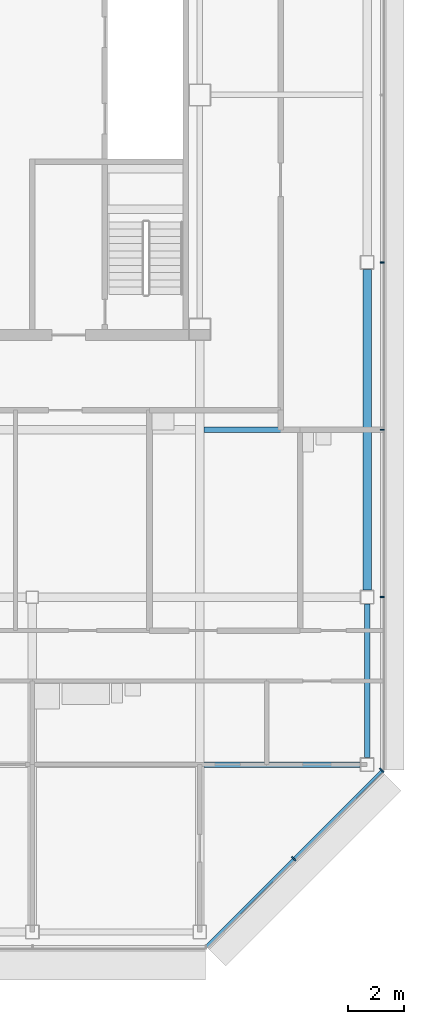
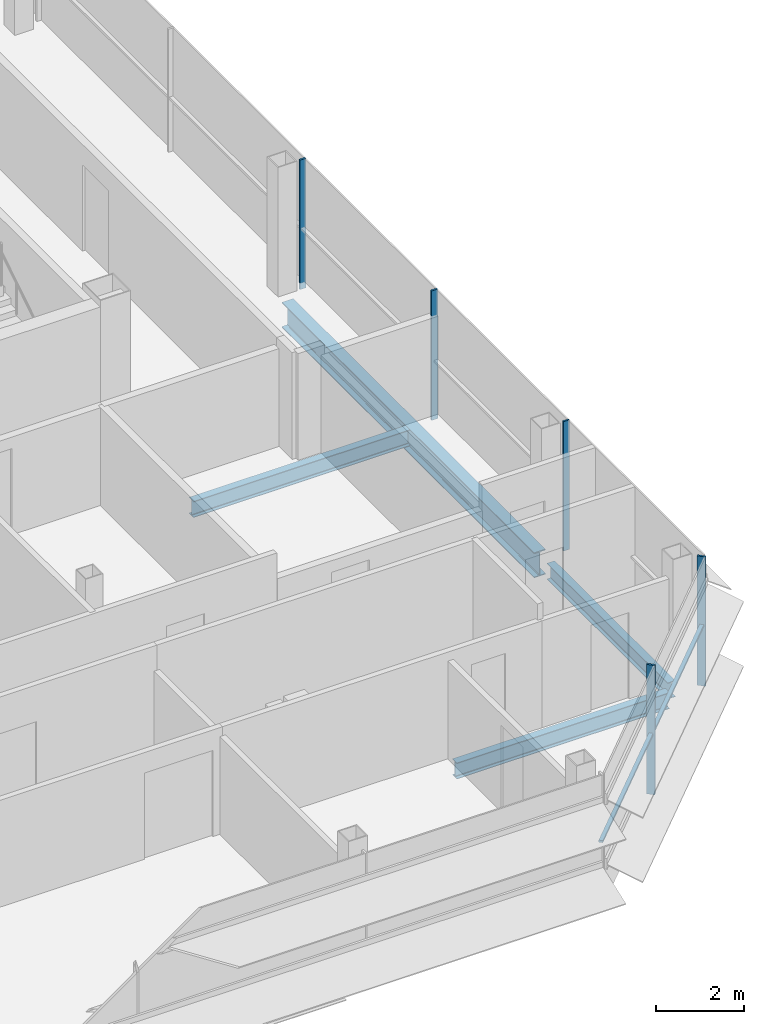
# One storey, part 17 of 27: 6 members, 4 beams, 2 elements without a shape of their own.
"""IFC4 building model written with IfcOpenShell, lengths in metres."""

from ifc_helpers import new_model, si_unit, direction, frame, origin, origin_2d, place, context, subcontext, project, spatial, rectangle, i_section, extrude, material, material_profile, profile_set, type_object, element, aggregate, save


model = new_model("IFC4")

# Units and contexts
model_context = context("Model", 3, precision=1e-05, world=origin(), true_north=direction((0.0, 1.0)))
body_context = subcontext(model_context, "Body", "Model", "MODEL_VIEW")
ifc_project = project(units=[si_unit("LENGTHUNIT", "METRE"), si_unit("AREAUNIT", "SQUARE_METRE"), si_unit("VOLUMEUNIT", "CUBIC_METRE"), si_unit("PLANEANGLEUNIT", "RADIAN"), si_unit("MASSUNIT", "GRAM", prefix="KILO")], contexts=[model_context])

# Site, building, storey
site_placement = place(None, origin())
site = spatial("IfcSite", under=ifc_project, at=site_placement, CompositionType="ELEMENT")
building_placement = place(site_placement, origin())
building = spatial("IfcBuilding", under=site, at=building_placement, Name="Sorahane Residences", CompositionType="ELEMENT")
storey_placement = place(building_placement, frame((0.0, 0.0, 316.0)))
storey = spatial("IfcBuildingStorey", under=building, at=storey_placement, Name="L75", CompositionType="ELEMENT", Elevation=316.0)

# Curtain wall, members
ifc_material_1 = material(Name="Dark low-e glass and black anodised aluminium", Category="aluminium")
curtain_wall_type_1 = type_object("IfcCurtainWallType", Name="Curtain wall CW-1 Typical unitised wall", PredefinedType="NOTDEFINED", material=ifc_material_1)
curtain_wall_1_placement = place(storey_placement, origin())
curtain_wall_1 = element("IfcCurtainWall", 1, at=curtain_wall_1_placement, inside=storey, type_object=curtain_wall_type_1, Name="CW-1 curtain wall L75 E1", PredefinedType="NOTDEFINED")
ifc_material_2 = material(Name="Black anodised aluminium", Category="aluminium")
ifc_material_profile_1 = material_profile(ifc_material_2, rectangle(XDim=0.159912109375, YDim=0.050048828125, at=origin_2d()), Name="Curtain wall mullion CW-1 black anodised aluminium 50x160")
ifc_profile_set_1 = profile_set([ifc_material_profile_1], Name="Black anodised aluminium")
member_type_1 = type_object("IfcMemberType", Name="Curtain wall mullion CW-1 black anodised aluminium 50x160", PredefinedType="MULLION", material=ifc_profile_set_1)
member_1_placement = place(storey_placement, frame((48.5400390625, 12.0, -0.179931640625), z_axis=(0.0, 0.0, 1.0), x_axis=(1.0, 0.0, 0.0)))
member_1 = element("IfcMember", 2, at=member_1_placement, type_object=member_type_1, Name="CW-1 mullion L75 E1.2", PredefinedType="MULLION", context=body_context, shape_type="SweptSolid", body=[
    extrude(rectangle(XDim=0.159912109375, YDim=0.050048828125, at=origin_2d()), origin(), (0.0, 0.0, 1.0), 3.599853515625),
])
member_2_placement = place(storey_placement, frame((48.5400390625, 18.0, -0.179931640625), z_axis=(0.0, 0.0, 1.0), x_axis=(1.0, 0.0, 0.0)))
member_2 = element("IfcMember", 3, at=member_2_placement, type_object=member_type_1, Name="CW-1 mullion L75 E1.3", PredefinedType="MULLION", context=body_context, shape_type="SweptSolid", body=[
    extrude(rectangle(XDim=0.159912109375, YDim=0.050048828125, at=origin_2d()), origin(), (0.0, 0.0, 1.0), 3.599853515625),
])
member_3_placement = place(storey_placement, frame((48.5400390625, 24.0, -0.179931640625), z_axis=(0.0, 0.0, 1.0), x_axis=(1.0, 0.0, 0.0)))
member_3 = element("IfcMember", 4, at=member_3_placement, type_object=member_type_1, Name="CW-1 mullion L75 E1.4", PredefinedType="MULLION", context=body_context, shape_type="SweptSolid", body=[
    extrude(rectangle(XDim=0.159912109375, YDim=0.050048828125, at=origin_2d()), origin(), (0.0, 0.0, 1.0), 3.599853515625),
])
aggregate(curtain_wall_1, [member_1, member_2, member_3])

ifc_material_3 = material(Name="Dark low-e glass and black anodised aluminium", Category="aluminium")
curtain_wall_type_2 = type_object("IfcCurtainWallType", Name="Curtain wall CW-2 Chamfer unitised wall", PredefinedType="NOTDEFINED", material=ifc_material_3)
curtain_wall_2_placement = place(storey_placement, origin())
curtain_wall_2 = element("IfcCurtainWall", 5, at=curtain_wall_2_placement, inside=storey, type_object=curtain_wall_type_2, Name="CW-2 curtain wall L75 SE1", PredefinedType="NOTDEFINED")
ifc_material_4 = material(Name="Black anodised aluminium", Category="aluminium")
ifc_material_profile_2 = material_profile(ifc_material_4, rectangle(XDim=0.199951171875, YDim=0.050048828125, at=origin_2d()), Name="Curtain wall mullion CW-2 black anodised aluminium 50x200")
ifc_profile_set_2 = profile_set([ifc_material_profile_2], Name="Black anodised aluminium")
member_type_2 = type_object("IfcMemberType", Name="Curtain wall mullion CW-2 black anodised aluminium 50x200", PredefinedType="MULLION", material=ifc_profile_set_2)
member_4_placement = place(storey_placement, frame((45.36767578125, 2.63232421875, -0.179931640625), z_axis=(0.0, 0.0, 1.0), x_axis=(0.707106781187, -0.707106781187, 0.0)))
member_4 = element("IfcMember", 6, at=member_4_placement, type_object=member_type_2, Name="CW-2 mullion L75 SE1.2", PredefinedType="MULLION", context=body_context, shape_type="SweptSolid", body=[
    extrude(rectangle(XDim=0.199951171875, YDim=0.050048828125, at=origin_2d()), origin(), (0.0, 0.0, 1.0), 3.599853515625),
])
member_5_placement = place(storey_placement, frame((48.525634765625, 5.790283203125, -0.179931640625), z_axis=(0.0, 0.0, 1.0), x_axis=(0.707106781187, -0.707106781187, 0.0)))
member_5 = element("IfcMember", 7, at=member_5_placement, type_object=member_type_2, Name="CW-2 mullion L75 SE1.3", PredefinedType="MULLION", context=body_context, shape_type="SweptSolid", body=[
    extrude(rectangle(XDim=0.199951171875, YDim=0.050048828125, at=origin_2d()), origin(), (0.0, 0.0, 1.0), 3.599853515625),
])
ifc_material_5 = material(Name="Black anodised aluminium", Category="aluminium")
ifc_material_profile_3 = material_profile(ifc_material_5, rectangle(XDim=0.10009765625, YDim=0.06005859375, at=origin_2d()), Name="Curtain wall transom CW-2 black anodised aluminium 60x100")
ifc_profile_set_3 = profile_set([ifc_material_profile_3], Name="Black anodised aluminium")
member_type_3 = type_object("IfcMemberType", Name="Curtain wall transom CW-2 black anodised aluminium 60x100", PredefinedType="USERDEFINED", material=ifc_profile_set_3)
member_6_placement = place(storey_placement, frame((42.234375, -0.51513671875, 1.5), z_axis=(0.707106781187, 0.707106781187, 0.0), x_axis=(-0.707106781187, 0.707106781187, 0.0)))
member_6 = element("IfcMember", 8, at=member_6_placement, type_object=member_type_3, Name="CW-2 transom L75 SE1", ObjectType="TRANSOM", PredefinedType="USERDEFINED", context=body_context, shape_type="SweptSolid", body=[
    extrude(rectangle(XDim=0.10009765625, YDim=0.06005859375, at=origin_2d()), origin(), (0.0, 0.0, 1.0), 8.88232421875),
])
aggregate(curtain_wall_2, [member_4, member_5, member_6])

# Beams
ifc_material_6 = material(Name="Steel Q355B", Category="steel")
ifc_material_profile_4 = material_profile(ifc_material_6, i_section(OverallWidth=0.199951171875, OverallDepth=0.449951171875, WebThickness=0.009033203125, FlangeThickness=0.013916015625, FilletRadius=0.02001953125, at=origin_2d()), Name="HN 450x200x9x14")
ifc_profile_set_4 = profile_set([ifc_material_profile_4], Name="Steel Q355B")
beam_type_1 = type_object("IfcBeamType", Name="Steel floor beam HN 450x200x9x14 Q355B", PredefinedType="BEAM", material=ifc_profile_set_4)
beam_1_placement = place(storey_placement, frame((48.0, 6.25, -0.405029296875), z_axis=(0.0, 1.0, 0.0), x_axis=(-1.0, 0.0, 0.0)))
element("IfcBeam", 9, at=beam_1_placement, inside=storey, type_object=beam_type_1, Name="Beam L75 062", PredefinedType="BEAM", context=body_context, shape_type="SweptSolid", body=[
    extrude(i_section(OverallWidth=0.199951171875, OverallDepth=0.449951171875, WebThickness=0.009033203125, FlangeThickness=0.013916015625, FilletRadius=0.02001953125, at=origin_2d()), origin(), (0.0, 0.0, 1.0), 5.5),
])
beam_2_placement = place(storey_placement, frame((42.14990234375, 6.0, -0.405029296875), z_axis=(1.0, 0.0, 0.0), x_axis=(0.0, 1.0, 0.0)))
element("IfcBeam", 10, at=beam_2_placement, inside=storey, type_object=beam_type_1, Name="Beam L75 075", PredefinedType="BEAM", context=body_context, shape_type="SweptSolid", body=[
    extrude(i_section(OverallWidth=0.199951171875, OverallDepth=0.449951171875, WebThickness=0.009033203125, FlangeThickness=0.013916015625, FilletRadius=0.02001953125, at=origin_2d()), origin(), (0.0, 0.0, 1.0), 5.60009765625),
])
beam_3_placement = place(storey_placement, frame((42.14990234375, 18.0, -0.405029296875), z_axis=(1.0, 0.0, 0.0), x_axis=(0.0, 1.0, 0.0)))
element("IfcBeam", 11, at=beam_3_placement, inside=storey, type_object=beam_type_1, Name="Beam L75 082", PredefinedType="BEAM", context=body_context, shape_type="SweptSolid", body=[
    extrude(i_section(OverallWidth=0.199951171875, OverallDepth=0.449951171875, WebThickness=0.009033203125, FlangeThickness=0.013916015625, FilletRadius=0.02001953125, at=origin_2d()), origin(), (0.0, 0.0, 1.0), 5.7001953125),
])
ifc_material_7 = material(Name="Steel Q355B", Category="steel")
ifc_material_profile_5 = material_profile(ifc_material_7, i_section(OverallWidth=0.300048828125, OverallDepth=0.699951171875, WebThickness=0.012939453125, FlangeThickness=0.02392578125, FilletRadius=0.028076171875, at=origin_2d()), Name="HN 700x300x13x24")
ifc_profile_set_5 = profile_set([ifc_material_profile_5], Name="Steel Q355B")
beam_type_2 = type_object("IfcBeamType", Name="Steel floor beam HN 700x300x13x24 Q355B", PredefinedType="BEAM", material=ifc_profile_set_5)
beam_4_placement = place(storey_placement, frame((48.0, 12.25, -0.530029296875), z_axis=(0.0, 1.0, 0.0), x_axis=(-1.0, 0.0, 0.0)))
element("IfcBeam", 12, at=beam_4_placement, inside=storey, type_object=beam_type_2, Name="Beam L75 063", PredefinedType="BEAM", context=body_context, shape_type="SweptSolid", body=[
    extrude(i_section(OverallWidth=0.300048828125, OverallDepth=0.699951171875, WebThickness=0.012939453125, FlangeThickness=0.02392578125, FilletRadius=0.028076171875, at=origin_2d()), origin(), (0.0, 0.0, 1.0), 11.5),
])

save(model, "model.ifc")
